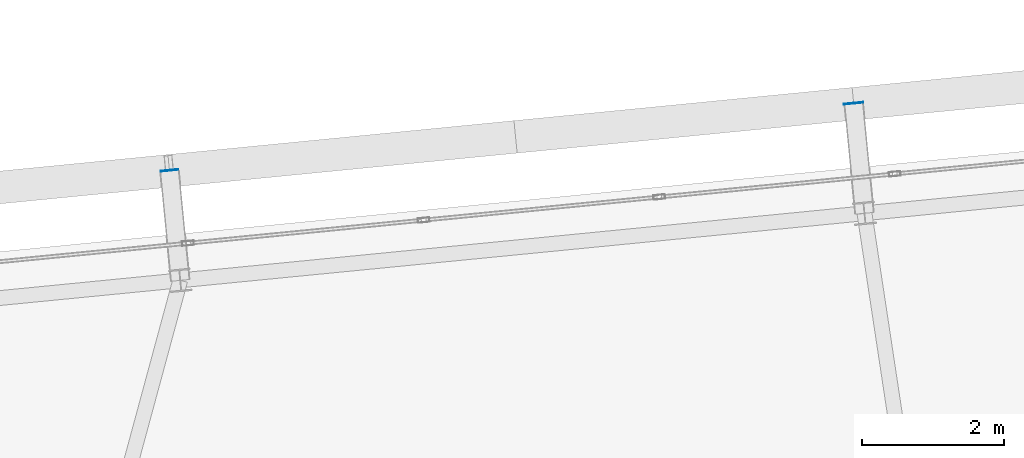
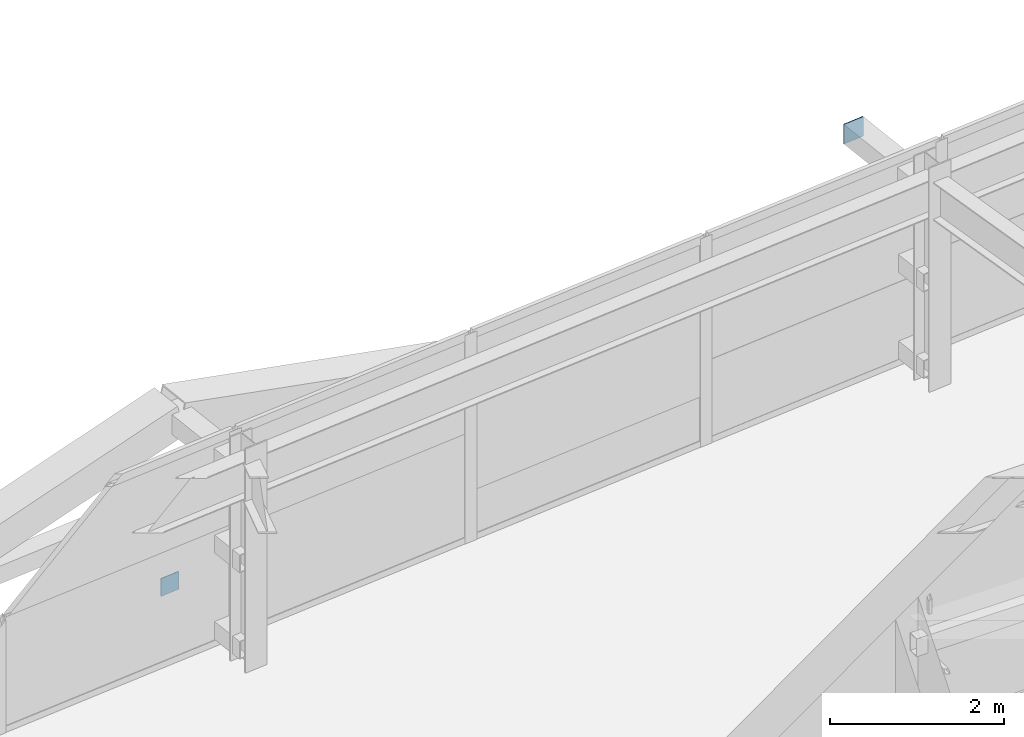
# One storey, part 44 of 53: 2 plates.
"""IFC4 building model written with IfcOpenShell, lengths in metres."""

from ifc_helpers import new_model, si_unit, direction, frame, origin, origin_2d, place, context, subcontext, project, spatial, rectangle, extrude, source, transform, mapped, material, layer, layer_set, type_object, element, save


model = new_model("IFC4")

# Units and contexts
model_context = context("Model", 3, precision=1e-05, world=origin(), true_north=direction((0.0, 1.0)))
body_context = subcontext(model_context, "Body", "Model", "MODEL_VIEW")
ifc_project = project(units=[si_unit("LENGTHUNIT", "METRE"), si_unit("AREAUNIT", "SQUARE_METRE"), si_unit("VOLUMEUNIT", "CUBIC_METRE"), si_unit("PLANEANGLEUNIT", "RADIAN"), si_unit("MASSUNIT", "GRAM", prefix="KILO")], contexts=[model_context])

# Site, building, storey
site_placement = place(None, origin())
site = spatial("IfcSite", under=ifc_project, at=site_placement, CompositionType="ELEMENT")
building_placement = place(site_placement, origin())
building = spatial("IfcBuilding", under=site, at=building_placement, Name="Taldren Reach Tower", CompositionType="ELEMENT")
storey_placement = place(building_placement, frame((0.0, 0.0, 80.85009765625)))
storey = spatial("IfcBuildingStorey", under=building, at=storey_placement, Name="L24", CompositionType="ELEMENT", Elevation=80.85009765625)

# Plates
ifc_material_1 = material(Name="Steel Gr 450 (C450L0)", Category="steel")
ifc_layer_1 = layer(ifc_material_1, 0.011962890625)
ifc_layer_set_1 = layer_set([ifc_layer_1], Name="Steel Gr 450 (C450L0)")
plate_type_1 = type_object("IfcPlateType", Name="PL-CAP-275", PredefinedType="SHEET", material=ifc_layer_set_1)
shared_shape_1 = source(origin(), body_context, "Body", "SweptSolid", [
    extrude(rectangle(XDim=0.27490234375, YDim=0.011962890625, at=origin_2d()), origin(), (0.0, 0.0, 1.0), 0.27490234375),
])
plate_1_placement = place(storey_placement, frame((49.980224609375, 39.283935546875, 2.512451171875), z_axis=(0.0, 0.0, 1.0), x_axis=(0.995227399982, 0.097582899759, 0.0)))
element("IfcPlate", 1, at=plate_1_placement, inside=storey, type_object=plate_type_1, Name="Tie strut end cap plate B2-N5 L24", PredefinedType="SHEET", context=body_context, shape_type="MappedRepresentation", body=[
    mapped(shared_shape_1, transform((0.0, 0.0, 0.0), scale=1.0)),
])
ifc_material_2 = material(Name="Steel Gr 350 (C350L0)", Category="steel")
ifc_layer_2 = layer(ifc_material_2, 0.011962890625)
ifc_layer_set_2 = layer_set([ifc_layer_2], Name="Steel Gr 350 (C350L0)")
plate_type_2 = type_object("IfcPlateType", Name="PL-CAP-250", PredefinedType="SHEET", material=ifc_layer_set_2)
shared_shape_2 = source(origin(), body_context, "Body", "SweptSolid", [
    extrude(rectangle(XDim=0.25, YDim=0.011962890625, at=origin_2d()), origin(), (0.0, 0.0, 1.0), 0.25),
])
plate_2_placement = place(storey_placement, frame((40.346435546875, 38.33935546875, 0.094970703125), z_axis=(0.0, 0.0, 1.0), x_axis=(0.995227399982, 0.097582899759, 0.0)))
element("IfcPlate", 2, at=plate_2_placement, inside=storey, type_object=plate_type_2, Name="Tie strut end cap plate B2-N4 L24", PredefinedType="SHEET", context=body_context, shape_type="MappedRepresentation", body=[
    mapped(shared_shape_2, transform((0.0, 0.0, 0.0), scale=1.0)),
])

save(model, "model.ifc")
